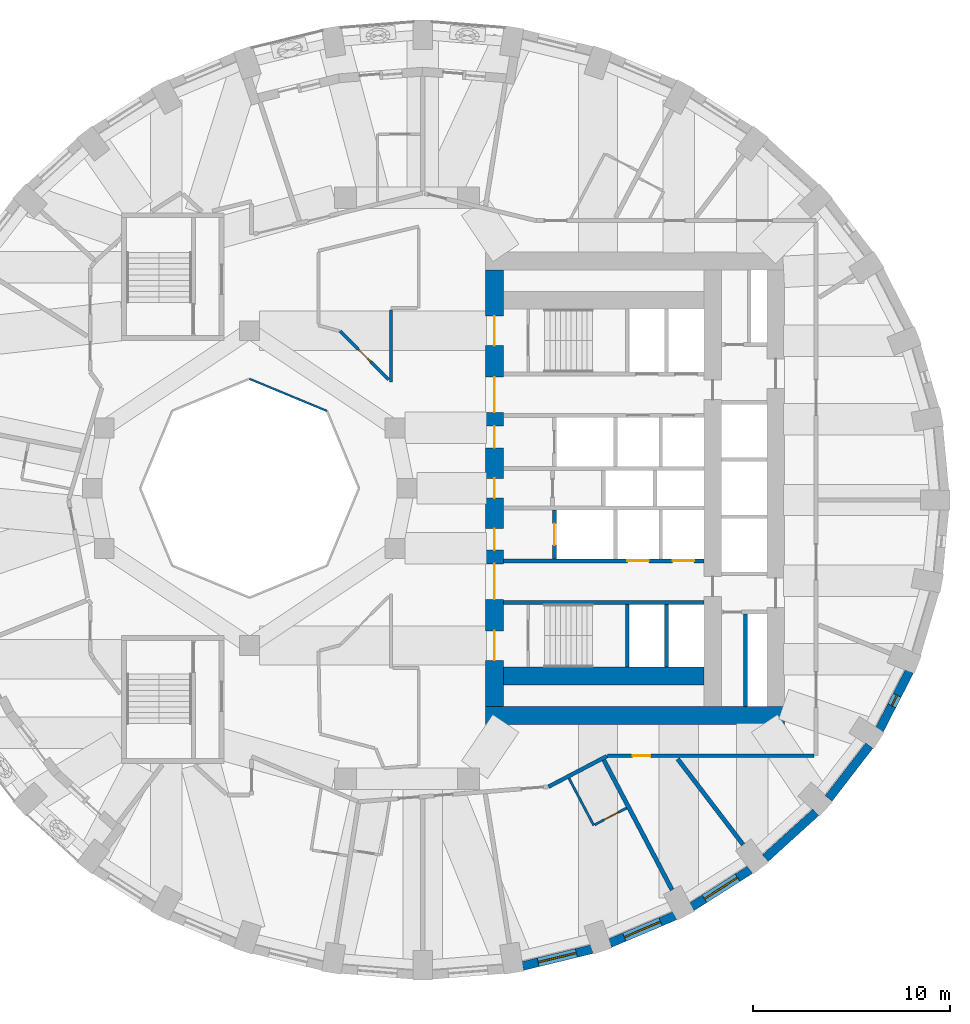
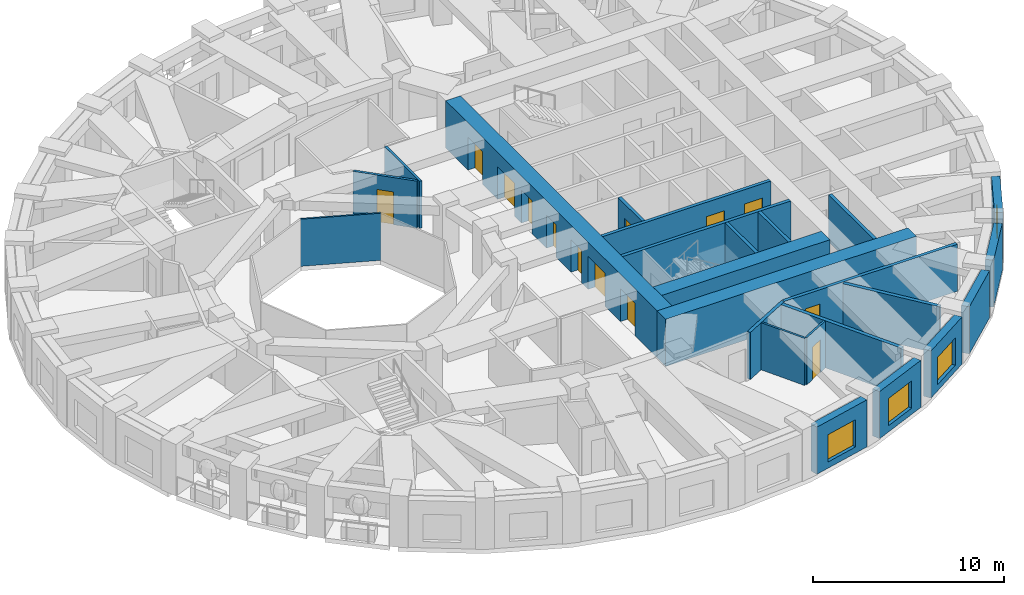
# One storey, part 5 of 12: 24 walls, 13 doors, 4 windows, 17 openings.
"""IFC4 building model written with IfcOpenShell, lengths in metres."""

from ifc_helpers import new_model, si_unit, direction, frame, frame_2d, origin, place, context, subcontext, project, spatial, rectangle, extrude, material, layer, layer_set, type_object, element, fill, save


model = new_model("IFC4")

# Units and contexts
model_context = context("Model", 3, precision=1e-05, world=origin(), true_north=direction((0.0, 1.0)))
body_context = subcontext(model_context, "Body", "Model", "MODEL_VIEW")
ifc_project = project(units=[si_unit("LENGTHUNIT", "METRE"), si_unit("AREAUNIT", "SQUARE_METRE"), si_unit("VOLUMEUNIT", "CUBIC_METRE"), si_unit("PLANEANGLEUNIT", "RADIAN"), si_unit("MASSUNIT", "GRAM", prefix="KILO")], contexts=[model_context])

# Site, building, storey
site_placement = place(None, origin())
site = spatial("IfcSite", under=ifc_project, at=site_placement, CompositionType="ELEMENT")
building_placement = place(site_placement, origin())
building = spatial("IfcBuilding", under=site, at=building_placement, Name="Taillehof Tower", CompositionType="ELEMENT")
storey_placement = place(building_placement, frame((0.0, 0.0, 92.199951171875)))
storey = spatial("IfcBuildingStorey", under=building, at=storey_placement, Name="L25", CompositionType="ELEMENT", Elevation=92.199951171875)

# Wall
ifc_material_1 = material(Name="Fire-resisting glass in steel frame", Category="steel")
ifc_layer_1 = layer(ifc_material_1, 0.10009765625)
ifc_layer_set_1 = layer_set([ifc_layer_1], Name="Atrium fire-resisting screen EI 60 100")
wall_type_1 = type_object("IfcWallType", Name="Atrium fire-resisting screen EI 60 100", PredefinedType="PARTITIONING", material=ifc_layer_set_1)
wall_1_placement = place(storey_placement, frame((-8.0, 5.55419921875, 0.0), z_axis=(0.0, 0.0, 1.0), x_axis=(0.923860025149, -0.382730523909, 0.0)))
element("IfcWall", 1, at=wall_1_placement, inside=storey, type_object=wall_type_1, Name="Atrium screen", PredefinedType="PARTITIONING", context=body_context, shape_type="SweptSolid", body=[
    extrude(rectangle(XDim=4.2509765625, YDim=0.10009765625, at=frame_2d((2.12548828125, 0.0))), origin(), (0.0, 0.0, 1.0), 3.02001953125),
])

# Wall, opening, window
ifc_material_2 = material(Name="Brick masonry", Category="masonry")
ifc_layer_2 = layer(ifc_material_2, 0.449951171875)
ifc_layer_set_2 = layer_set([ifc_layer_2], Name="Brick infill wall 450")
wall_type_2 = type_object("IfcWallType", Name="Brick infill wall 450", PredefinedType="SOLIDWALL", material=ifc_layer_set_2)
wall_2_placement = place(storey_placement, frame((5.87451171875, -24.29443359375, 0.0), z_axis=(0.0, 0.0, 1.0), x_axis=(0.971667603162, 0.236351579148, 0.0)))
wall_2 = element("IfcWall", 2, at=wall_2_placement, inside=storey, type_object=wall_type_2, Name="Brick wall L25 bay 29", PredefinedType="SOLIDWALL", context=body_context, shape_type="SweptSolid", body=[
    extrude(rectangle(XDim=3.635009765625, YDim=0.449951171875, at=frame_2d((1.8173828125, 0.0))), origin(), (0.0, 0.0, 1.0), 3.02001953125),
])
opening_1_placement = place(wall_2_placement, frame((0.8173828125, 0.0, 0.39990234375)))
opening_1 = element("IfcOpeningElement", 3, at=opening_1_placement, cuts=wall_2, Name="Opening W2", PredefinedType="OPENING", context=body_context, shape_type="SweptSolid", body=[
    extrude(rectangle(XDim=2.0, YDim=1.75, at=frame_2d((1.0, 0.875))), frame((0.0, 0.23486328125, 0.0), z_axis=(0.0, -1.0, 0.0), x_axis=(1.0, 0.0, 0.0)), (0.0, 0.0, 1.0), 0.469970703125),
])
ifc_material_3 = material(Name="Aluminium window frame with clear double glazing", Category="aluminium")
window_type_1 = type_object("IfcWindowType", Name="Deep-set window 2000x1750", PartitioningType="SINGLE_PANEL", PredefinedType="WINDOW", material=ifc_material_3)
window_1_placement = place(opening_1_placement, origin())
window_1 = element("IfcWindow", 4, at=window_1_placement, inside=storey, type_object=window_type_1, Name="W2", OverallHeight=1.75, OverallWidth=2.0, PartitioningType="SINGLE_PANEL", PredefinedType="WINDOW", context=body_context, shape_type="SweptSolid", body=[
    extrude(rectangle(XDim=2.0, YDim=1.75, at=frame_2d((1.0, 0.875))), frame((0.0, 0.034912109375, 0.0), z_axis=(0.0, -1.0, 0.0), x_axis=(1.0, 0.0, 0.0)), (0.0, 0.0, 1.0), 0.06005859375),
])
fill(opening_1, window_1)

wall_3_placement = place(storey_placement, frame((10.318115234375, -23.133544921875, 0.0), z_axis=(0.0, 0.0, 1.0), x_axis=(0.920869643542, 0.389870619055, 0.0)))
wall_3 = element("IfcWall", 5, at=wall_3_placement, inside=storey, type_object=wall_type_2, Name="Brick wall L25 bay 30", PredefinedType="SOLIDWALL", context=body_context, shape_type="SweptSolid", body=[
    extrude(rectangle(XDim=3.59130859375, YDim=0.449951171875, at=frame_2d((1.795654296875, 0.0))), origin(), (0.0, 0.0, 1.0), 3.02001953125),
])
opening_2_placement = place(wall_3_placement, frame((0.795654296875, 0.0, 0.39990234375)))
opening_2 = element("IfcOpeningElement", 6, at=opening_2_placement, cuts=wall_3, Name="Opening W2", PredefinedType="OPENING", context=body_context, shape_type="SweptSolid", body=[
    extrude(rectangle(XDim=2.0, YDim=1.75, at=frame_2d((1.0, 0.875))), frame((0.0, 0.23486328125, 0.0), z_axis=(0.0, -1.0, 0.0), x_axis=(1.0, 0.0, 0.0)), (0.0, 0.0, 1.0), 0.469970703125),
])
window_2_placement = place(opening_2_placement, origin())
window_2 = element("IfcWindow", 7, at=window_2_placement, inside=storey, type_object=window_type_1, Name="W2", OverallHeight=1.75, OverallWidth=2.0, PartitioningType="SINGLE_PANEL", PredefinedType="WINDOW", context=body_context, shape_type="SweptSolid", body=[
    extrude(rectangle(XDim=2.0, YDim=1.75, at=frame_2d((1.0, 0.875))), frame((0.0, 0.034912109375, 0.0), z_axis=(0.0, -1.0, 0.0), x_axis=(1.0, 0.0, 0.0)), (0.0, 0.0, 1.0), 0.06005859375),
])
fill(opening_2, window_2)

wall_4_placement = place(storey_placement, frame((14.475341796875, -21.287109375, 0.0), z_axis=(0.0, 0.0, 1.0), x_axis=(0.843911841423, 0.536481876587, 0.0)))
wall_4 = element("IfcWall", 8, at=wall_4_placement, inside=storey, type_object=wall_type_2, Name="Brick wall L25 bay 31", PredefinedType="SOLIDWALL", context=body_context, shape_type="SweptSolid", body=[
    extrude(rectangle(XDim=3.5322265625, YDim=0.449951171875, at=frame_2d((1.76611328125, 0.0))), origin(), (0.0, 0.0, 1.0), 3.02001953125),
])
opening_3_placement = place(wall_4_placement, frame((0.76611328125, 0.0, 0.39990234375)))
opening_3 = element("IfcOpeningElement", 9, at=opening_3_placement, cuts=wall_4, Name="Opening W2", PredefinedType="OPENING", context=body_context, shape_type="SweptSolid", body=[
    extrude(rectangle(XDim=2.0, YDim=1.75, at=frame_2d((1.0, 0.875))), frame((0.0, 0.23486328125, 0.0), z_axis=(0.0, -1.0, 0.0), x_axis=(1.0, 0.0, 0.0)), (0.0, 0.0, 1.0), 0.469970703125),
])
window_3_placement = place(opening_3_placement, origin())
window_3 = element("IfcWindow", 10, at=window_3_placement, inside=storey, type_object=window_type_1, Name="W2", OverallHeight=1.75, OverallWidth=2.0, PartitioningType="SINGLE_PANEL", PredefinedType="WINDOW", context=body_context, shape_type="SweptSolid", body=[
    extrude(rectangle(XDim=2.0, YDim=1.75, at=frame_2d((1.0, 0.875))), frame((0.0, 0.034912109375, 0.0), z_axis=(0.0, -1.0, 0.0), x_axis=(1.0, 0.0, 0.0)), (0.0, 0.0, 1.0), 0.06005859375),
])
fill(opening_3, window_3)

# Walls
wall_5_placement = place(storey_placement, frame((18.219482421875, -18.8095703125, 0.0), z_axis=(0.0, 0.0, 1.0), x_axis=(0.740364106106, 0.672206062446, 0.0)))
element("IfcWall", 11, at=wall_5_placement, inside=storey, type_object=wall_type_2, Name="Brick wall L25 bay 32", PredefinedType="SOLIDWALL", context=body_context, shape_type="SweptSolid", body=[
    extrude(rectangle(XDim=3.4638671875, YDim=0.449951171875, at=frame_2d((1.73193359375, 0.0))), origin(), (0.0, 0.0, 1.0), 3.02001953125),
])
wall_6_placement = place(storey_placement, frame((21.43505859375, -15.775390625, 0.0), z_axis=(0.0, 0.0, 1.0), x_axis=(0.610693945156, 0.791866721961, 0.0)))
element("IfcWall", 12, at=wall_6_placement, inside=storey, type_object=wall_type_2, Name="Brick wall L25 bay 33", PredefinedType="SOLIDWALL", context=body_context, shape_type="SweptSolid", body=[
    extrude(rectangle(XDim=3.39453125, YDim=0.449951171875, at=frame_2d((1.697265625, 0.0))), origin(), (0.0, 0.0, 1.0), 3.02001953125),
])

# Wall, opening, window
wall_7_placement = place(storey_placement, frame((24.022705078125, -12.27685546875, 0.0), z_axis=(0.0, 0.0, 1.0), x_axis=(0.456828186229, 0.889554949549, 0.0)))
wall_7 = element("IfcWall", 13, at=wall_7_placement, inside=storey, type_object=wall_type_2, Name="Brick wall L25 bay 34", PredefinedType="SOLIDWALL", context=body_context, shape_type="SweptSolid", body=[
    extrude(rectangle(XDim=3.332763671875, YDim=0.449951171875, at=frame_2d((1.66650390625, 0.0))), origin(), (0.0, 0.0, 1.0), 3.02001953125),
])
opening_4_placement = place(wall_7_placement, frame((1.366455078125, 0.0, 0.39990234375)))
opening_4 = element("IfcOpeningElement", 14, at=opening_4_placement, cuts=wall_7, Name="Opening W6", PredefinedType="OPENING", context=body_context, shape_type="SweptSolid", body=[
    extrude(rectangle(XDim=0.60009765625, YDim=1.75, at=frame_2d((0.300048828125, 0.875))), frame((0.0, 0.23486328125, 0.0), z_axis=(0.0, -1.0, 0.0), x_axis=(1.0, 0.0, 0.0)), (0.0, 0.0, 1.0), 0.469970703125),
])
ifc_material_4 = material(Name="Aluminium window frame with clear double glazing", Category="aluminium")
window_type_2 = type_object("IfcWindowType", Name="Slot window 600x1750", PartitioningType="SINGLE_PANEL", PredefinedType="WINDOW", material=ifc_material_4)
window_4_placement = place(opening_4_placement, origin())
window_4 = element("IfcWindow", 15, at=window_4_placement, inside=storey, type_object=window_type_2, Name="W6", OverallHeight=1.75, OverallWidth=0.60009765625, PartitioningType="SINGLE_PANEL", PredefinedType="WINDOW", context=body_context, shape_type="SweptSolid", body=[
    extrude(rectangle(XDim=0.60009765625, YDim=1.75, at=frame_2d((0.300048828125, 0.875))), frame((0.0, 0.034912109375, 0.0), z_axis=(0.0, -1.0, 0.0), x_axis=(1.0, 0.0, 0.0)), (0.0, 0.0, 1.0), 0.06005859375),
])
fill(opening_4, window_4)

# Wall
ifc_material_5 = material(Name="Calcium silicate masonry", Category="masonry")
ifc_layer_3 = layer(ifc_material_5, 0.199951171875)
ifc_layer_set_3 = layer_set([ifc_layer_3], Name="Compartment wall calcium silicate 200")
wall_type_3 = type_object("IfcWallType", Name="Compartment wall calcium silicate 200", PredefinedType="PARTITIONING", material=ifc_layer_set_3)
wall_8_placement = place(storey_placement, frame((17.199951171875, -11.10009765625, 0.0), z_axis=(0.0, 0.0, 1.0), x_axis=(0.0, 1.0, 0.0)))
element("IfcWall", 16, at=wall_8_placement, inside=storey, type_object=wall_type_3, Name="Compartment wall FW", PredefinedType="PARTITIONING", context=body_context, shape_type="SweptSolid", body=[
    extrude(rectangle(XDim=4.7001953125, YDim=0.199951171875, at=frame_2d((2.35009765625, 0.0))), origin(), (0.0, 0.0, 1.0), 3.02001953125),
])

# Wall, opening, door
ifc_material_6 = material(Name="Gypsum board on steel studs, two layers each side", Category="steel")
ifc_layer_4 = layer(ifc_material_6, 0.199951171875)
ifc_layer_set_4 = layer_set([ifc_layer_4], Name="Compartment wall corridor 200")
wall_type_4 = type_object("IfcWallType", Name="Compartment wall corridor 200", PredefinedType="PARTITIONING", material=ifc_layer_set_4)
wall_9_placement = place(storey_placement, frame((20.699951171875, -13.60009765625, 0.0), z_axis=(0.0, 0.0, 1.0), x_axis=(-1.0, 0.0, 0.0)))
wall_9 = element("IfcWall", 17, at=wall_9_placement, inside=storey, type_object=wall_type_4, Name="Compartment wall", PredefinedType="PARTITIONING", context=body_context, shape_type="SweptSolid", body=[
    extrude(rectangle(XDim=10.49755859375, YDim=0.199951171875, at=frame_2d((5.248779296875, 0.0))), origin(), (0.0, 0.0, 1.0), 3.02001953125),
])
opening_5_placement = place(wall_9_placement, frame((8.32470703125, 0.0, 0.0)))
opening_5 = element("IfcOpeningElement", 18, at=opening_5_placement, cuts=wall_9, Name="Opening D2560", PredefinedType="OPENING", context=body_context, shape_type="SweptSolid", body=[
    extrude(rectangle(XDim=0.89990234375, YDim=2.10009765625, at=frame_2d((0.449951171875, 1.050048828125))), frame((0.0, 0.10986328125, 0.0), z_axis=(0.0, -1.0, 0.0), x_axis=(1.0, 0.0, 0.0)), (0.0, 0.0, 1.0), 0.219970703125),
])
ifc_material_7 = material(Name="Timber door leaf in steel frame", Category="steel")
door_type_1 = type_object("IfcDoorType", Name="Service room door EI 30 900 x 2100", OperationType="SINGLE_SWING_LEFT", PredefinedType="DOOR", material=ifc_material_7)
door_1_placement = place(opening_5_placement, origin())
door_1 = element("IfcDoor", 19, at=door_1_placement, inside=storey, type_object=door_type_1, Name="D2560", OperationType="SINGLE_SWING_RIGHT", OverallHeight=2.10009765625, OverallWidth=0.89990234375, PredefinedType="DOOR", context=body_context, shape_type="SweptSolid", body=[
    extrude(rectangle(XDim=0.89990234375, YDim=2.10009765625, at=frame_2d((0.449951171875, 1.050048828125))), frame((0.0, 0.02490234375, 0.0), z_axis=(0.0, -1.0, 0.0), x_axis=(1.0, 0.0, 0.0)), (0.0, 0.0, 1.0), 0.050048828125),
])
fill(opening_5, door_1)

# Walls
wall_10_placement = place(storey_placement, frame((10.166748046875, -13.61865234375, 0.0), z_axis=(0.0, 0.0, 1.0), x_axis=(-0.885637584774, -0.4643770757, 0.0)))
element("IfcWall", 20, at=wall_10_placement, inside=storey, type_object=wall_type_4, Name="Compartment wall", PredefinedType="PARTITIONING", context=body_context, shape_type="SweptSolid", body=[
    extrude(rectangle(XDim=3.35205078125, YDim=0.199951171875, at=frame_2d((1.676025390625, 0.0))), origin(), (0.0, 0.0, 1.0), 3.02001953125),
])
ifc_material_8 = material(Name="Gypsum board on double steel studs with mineral wool", Category="steel")
ifc_layer_5 = layer(ifc_material_8, 0.219970703125)
ifc_layer_set_5 = layer_set([ifc_layer_5], Name="Compartment wall guest room 220")
wall_type_5 = type_object("IfcWallType", Name="Compartment wall guest room 220", PredefinedType="PARTITIONING", material=ifc_layer_set_5)
wall_11_placement = place(storey_placement, frame((13.47607421875, -20.417724609375, 0.0), z_axis=(0.0, 0.0, 1.0), x_axis=(-0.465295750937, 0.885155276864, 0.0)))
element("IfcWall", 21, at=wall_11_placement, inside=storey, type_object=wall_type_5, Name="Compartment wall", PredefinedType="PARTITIONING", context=body_context, shape_type="SweptSolid", body=[
    extrude(rectangle(XDim=7.4580078125, YDim=0.219970703125, at=frame_2d((3.72900390625, 0.0))), origin(), (0.0, 0.0, 1.0), 3.02001953125),
])
wall_12_placement = place(storey_placement, frame((17.08935546875, -18.120849609375, 0.0), z_axis=(0.0, 0.0, 1.0), x_axis=(-0.607064955951, 0.794652212767, 0.0)))
element("IfcWall", 22, at=wall_12_placement, inside=storey, type_object=wall_type_5, Name="Compartment wall", PredefinedType="PARTITIONING", context=body_context, shape_type="SweptSolid", body=[
    extrude(rectangle(XDim=5.483154296875, YDim=0.219970703125, at=frame_2d((2.74169921875, 0.0))), origin(), (0.0, 0.0, 1.0), 3.02001953125),
])
ifc_material_9 = material(Name="Gypsum board on steel studs, two layers each side", Category="steel")
ifc_layer_6 = layer(ifc_material_9, 0.14990234375)
ifc_layer_set_6 = layer_set([ifc_layer_6], Name="Compartment wall service room 150")
wall_type_6 = type_object("IfcWallType", Name="Compartment wall service room 150", PredefinedType="PARTITIONING", material=ifc_layer_set_6)
wall_13_placement = place(storey_placement, frame((-0.800048828125, 9.06982421875, 0.0), z_axis=(0.0, 0.0, 1.0), x_axis=(0.0, -1.0, 0.0)))
element("IfcWall", 23, at=wall_13_placement, inside=storey, type_object=wall_type_6, Name="Compartment wall", PredefinedType="PARTITIONING", context=body_context, shape_type="SweptSolid", body=[
    extrude(rectangle(XDim=3.683349609375, YDim=0.14990234375, at=frame_2d((1.841796875, 0.0))), origin(), (0.0, 0.0, 1.0), 3.02001953125),
])

# Wall, opening, door
wall_14_placement = place(storey_placement, frame((-0.927490234375, 5.513916015625, 0.0), z_axis=(0.0, 0.0, 1.0), x_axis=(-0.707106781187, 0.707106781187, 0.0)))
wall_14 = element("IfcWall", 24, at=wall_14_placement, inside=storey, type_object=wall_type_6, Name="Compartment wall", PredefinedType="PARTITIONING", context=body_context, shape_type="SweptSolid", body=[
    extrude(rectangle(XDim=3.48681640625, YDim=0.14990234375, at=frame_2d((1.743408203125, 0.0))), origin(), (0.0, 0.0, 1.0), 3.02001953125),
])
opening_6_placement = place(wall_14_placement, frame((1.29345703125, 0.0, 0.0)))
opening_6 = element("IfcOpeningElement", 25, at=opening_6_placement, cuts=wall_14, Name="Opening D2565", PredefinedType="OPENING", context=body_context, shape_type="SweptSolid", body=[
    extrude(rectangle(XDim=0.89990234375, YDim=2.10009765625, at=frame_2d((0.449951171875, 1.050048828125))), frame((0.0, 0.0849609375, 0.0), z_axis=(0.0, -1.0, 0.0), x_axis=(1.0, 0.0, 0.0)), (0.0, 0.0, 1.0), 0.169921875),
])
door_2_placement = place(opening_6_placement, origin())
door_2 = element("IfcDoor", 26, at=door_2_placement, inside=storey, type_object=door_type_1, Name="D2565", OperationType="SINGLE_SWING_RIGHT", OverallHeight=2.10009765625, OverallWidth=0.89990234375, PredefinedType="DOOR", context=body_context, shape_type="SweptSolid", body=[
    extrude(rectangle(XDim=0.89990234375, YDim=2.10009765625, at=frame_2d((0.449951171875, 1.050048828125))), frame((0.0, 0.02490234375, 0.0), z_axis=(0.0, -1.0, 0.0), x_axis=(1.0, 0.0, 0.0)), (0.0, 0.0, 1.0), 0.050048828125),
])
fill(opening_6, door_2)

# Wall, openings, doors
ifc_material_10 = material(Name="Concrete C80/95", Category="concrete")
ifc_layer_7 = layer(ifc_material_10, 0.89990234375)
ifc_layer_set_7 = layer_set([ifc_layer_7], Name="Core wall C80/95 900")
wall_type_7 = type_object("IfcWallType", Name="Core wall C80/95 900", PredefinedType="SHEAR", material=ifc_layer_set_7)
wall_15_placement = place(storey_placement, frame((4.449951171875, -11.10009765625, 0.0), z_axis=(0.0, 0.0, 1.0), x_axis=(0.0, 1.0, 0.0)))
wall_15 = element("IfcWall", 27, at=wall_15_placement, inside=storey, type_object=wall_type_7, Name="Core wall CW01", PredefinedType="SHEAR", context=body_context, shape_type="SweptSolid", body=[
    extrude(rectangle(XDim=22.2001953125, YDim=0.89990234375, at=frame_2d((11.10009765625, 0.0))), origin(), (0.0, 0.0, 1.0), 3.02001953125),
])
opening_7_placement = place(wall_15_placement, frame((2.35009765625, 0.0, 0.0)))
opening_7 = element("IfcOpeningElement", 28, at=opening_7_placement, cuts=wall_15, Name="Opening D2501", PredefinedType="OPENING", context=body_context, shape_type="SweptSolid", body=[
    extrude(rectangle(XDim=1.5, YDim=2.10009765625, at=frame_2d((0.75, 1.050048828125))), frame((0.0, 0.4599609375, 0.0), z_axis=(0.0, -1.0, 0.0), x_axis=(1.0, 0.0, 0.0)), (0.0, 0.0, 1.0), 0.919921875),
])
opening_8_placement = place(wall_15_placement, frame((5.449951171875, 0.0, 0.0)))
opening_8 = element("IfcOpeningElement", 29, at=opening_8_placement, cuts=wall_15, Name="Opening D2502", PredefinedType="OPENING", context=body_context, shape_type="SweptSolid", body=[
    extrude(rectangle(XDim=1.800048828125, YDim=2.10009765625, at=frame_2d((0.89990234375, 1.050048828125))), frame((0.0, 0.4599609375, 0.0), z_axis=(0.0, -1.0, 0.0), x_axis=(1.0, 0.0, 0.0)), (0.0, 0.0, 1.0), 0.919921875),
])
opening_9_placement = place(wall_15_placement, frame((7.949951171875, 0.0, 0.0)))
opening_9 = element("IfcOpeningElement", 30, at=opening_9_placement, cuts=wall_15, Name="Opening D2503", PredefinedType="OPENING", context=body_context, shape_type="SweptSolid", body=[
    extrude(rectangle(XDim=1.10009765625, YDim=2.10009765625, at=frame_2d((0.550048828125, 1.050048828125))), frame((0.0, 0.4599609375, 0.0), z_axis=(0.0, -1.0, 0.0), x_axis=(1.0, 0.0, 0.0)), (0.0, 0.0, 1.0), 0.919921875),
])
opening_10_placement = place(wall_15_placement, frame((10.60009765625, 0.0, 0.0)))
opening_10 = element("IfcOpeningElement", 31, at=opening_10_placement, cuts=wall_15, Name="Opening D2504", PredefinedType="OPENING", context=body_context, shape_type="SweptSolid", body=[
    extrude(rectangle(XDim=1.0, YDim=2.10009765625, at=frame_2d((0.5, 1.050048828125))), frame((0.0, 0.4599609375, 0.0), z_axis=(0.0, -1.0, 0.0), x_axis=(1.0, 0.0, 0.0)), (0.0, 0.0, 1.0), 0.919921875),
])
opening_11_placement = place(wall_15_placement, frame((13.14990234375, 0.0, 0.0)))
opening_11 = element("IfcOpeningElement", 32, at=opening_11_placement, cuts=wall_15, Name="Opening D2505", PredefinedType="OPENING", context=body_context, shape_type="SweptSolid", body=[
    extrude(rectangle(XDim=1.10009765625, YDim=2.10009765625, at=frame_2d((0.550048828125, 1.050048828125))), frame((0.0, 0.4599609375, 0.0), z_axis=(0.0, -1.0, 0.0), x_axis=(1.0, 0.0, 0.0)), (0.0, 0.0, 1.0), 0.919921875),
])
opening_12_placement = place(wall_15_placement, frame((14.949951171875, 0.0, 0.0)))
opening_12 = element("IfcOpeningElement", 33, at=opening_12_placement, cuts=wall_15, Name="Opening D2506", PredefinedType="OPENING", context=body_context, shape_type="SweptSolid", body=[
    extrude(rectangle(XDim=1.800048828125, YDim=2.10009765625, at=frame_2d((0.89990234375, 1.050048828125))), frame((0.0, 0.4599609375, 0.0), z_axis=(0.0, -1.0, 0.0), x_axis=(1.0, 0.0, 0.0)), (0.0, 0.0, 1.0), 0.919921875),
])
opening_13_placement = place(wall_15_placement, frame((18.35009765625, 0.0, 0.0)))
opening_13 = element("IfcOpeningElement", 34, at=opening_13_placement, cuts=wall_15, Name="Opening D2507", PredefinedType="OPENING", context=body_context, shape_type="SweptSolid", body=[
    extrude(rectangle(XDim=1.5, YDim=2.10009765625, at=frame_2d((0.75, 1.050048828125))), frame((0.0, 0.4599609375, 0.0), z_axis=(0.0, -1.0, 0.0), x_axis=(1.0, 0.0, 0.0)), (0.0, 0.0, 1.0), 0.919921875),
])
ifc_material_11 = material(Name="Steel-faced fire door", Category="steel")
door_type_2 = type_object("IfcDoorType", Name="Firefighting lobby door 1100x2100", OperationType="SINGLE_SWING_RIGHT", PredefinedType="DOOR", material=ifc_material_11)
door_3_placement = place(opening_9_placement, origin())
door_3 = element("IfcDoor", 35, at=door_3_placement, inside=storey, type_object=door_type_2, Name="Firefighting lobby door FFL-S", OperationType="SINGLE_SWING_RIGHT", OverallHeight=2.10009765625, OverallWidth=1.10009765625, PredefinedType="DOOR", context=body_context, shape_type="SweptSolid", body=[
    extrude(rectangle(XDim=1.10009765625, YDim=2.10009765625, at=frame_2d((0.550048828125, 1.050048828125))), frame((0.0, 0.02490234375, 0.0), z_axis=(0.0, -1.0, 0.0), x_axis=(1.0, 0.0, 0.0)), (0.0, 0.0, 1.0), 0.050048828125),
])
fill(opening_9, door_3)
door_4_placement = place(opening_11_placement, origin())
door_4 = element("IfcDoor", 36, at=door_4_placement, inside=storey, type_object=door_type_2, Name="Firefighting lobby door FFL-N", OperationType="SINGLE_SWING_LEFT", OverallHeight=2.10009765625, OverallWidth=1.10009765625, PredefinedType="DOOR", context=body_context, shape_type="SweptSolid", body=[
    extrude(rectangle(XDim=1.10009765625, YDim=2.10009765625, at=frame_2d((0.550048828125, 1.050048828125))), frame((0.0, 0.02490234375, 0.0), z_axis=(0.0, -1.0, 0.0), x_axis=(1.0, 0.0, 0.0)), (0.0, 0.0, 1.0), 0.050048828125),
])
fill(opening_11, door_4)
ifc_material_12 = material(Name="Steel-faced fire door", Category="steel")
door_type_3 = type_object("IfcDoorType", Name="Lift lobby door 1800x2100", OperationType="DOUBLE_DOOR_SINGLE_SWING", PredefinedType="DOOR", material=ifc_material_12)
door_5_placement = place(opening_8_placement, origin())
door_5 = element("IfcDoor", 37, at=door_5_placement, inside=storey, type_object=door_type_3, Name="Lift lobby door LL-S", OperationType="DOUBLE_DOOR_SINGLE_SWING", OverallHeight=2.10009765625, OverallWidth=1.800048828125, PredefinedType="DOOR", context=body_context, shape_type="SweptSolid", body=[
    extrude(rectangle(XDim=1.800048828125, YDim=2.10009765625, at=frame_2d((0.89990234375, 1.050048828125))), frame((0.0, 0.02490234375, 0.0), z_axis=(0.0, -1.0, 0.0), x_axis=(1.0, 0.0, 0.0)), (0.0, 0.0, 1.0), 0.050048828125),
])
fill(opening_8, door_5)
door_6_placement = place(opening_12_placement, origin())
door_6 = element("IfcDoor", 38, at=door_6_placement, inside=storey, type_object=door_type_3, Name="Lift lobby door LL-N", OperationType="DOUBLE_DOOR_SINGLE_SWING", OverallHeight=2.10009765625, OverallWidth=1.800048828125, PredefinedType="DOOR", context=body_context, shape_type="SweptSolid", body=[
    extrude(rectangle(XDim=1.800048828125, YDim=2.10009765625, at=frame_2d((0.89990234375, 1.050048828125))), frame((0.0, 0.02490234375, 0.0), z_axis=(0.0, -1.0, 0.0), x_axis=(1.0, 0.0, 0.0)), (0.0, 0.0, 1.0), 0.050048828125),
])
fill(opening_12, door_6)
ifc_material_13 = material(Name="Steel-faced fire door", Category="steel")
door_type_4 = type_object("IfcDoorType", Name="Service door 1000x2100", OperationType="SINGLE_SWING_RIGHT", PredefinedType="DOOR", material=ifc_material_13)
door_7_placement = place(opening_10_placement, origin())
door_7 = element("IfcDoor", 39, at=door_7_placement, inside=storey, type_object=door_type_4, Name="Service door SV", OperationType="SINGLE_SWING_RIGHT", OverallHeight=2.10009765625, OverallWidth=1.0, PredefinedType="DOOR", context=body_context, shape_type="SweptSolid", body=[
    extrude(rectangle(XDim=1.0, YDim=2.10009765625, at=frame_2d((0.5, 1.050048828125))), frame((0.0, 0.02490234375, 0.0), z_axis=(0.0, -1.0, 0.0), x_axis=(1.0, 0.0, 0.0)), (0.0, 0.0, 1.0), 0.050048828125),
])
fill(opening_10, door_7)
ifc_material_14 = material(Name="Steel-faced fire door", Category="steel")
door_type_5 = type_object("IfcDoorType", Name="Stair door 1500x2100", OperationType="DOUBLE_DOOR_SINGLE_SWING", PredefinedType="DOOR", material=ifc_material_14)
door_8_placement = place(opening_7_placement, origin())
door_8 = element("IfcDoor", 40, at=door_8_placement, inside=storey, type_object=door_type_5, Name="Stair door S2", OperationType="DOUBLE_DOOR_SINGLE_SWING", OverallHeight=2.10009765625, OverallWidth=1.5, PredefinedType="DOOR", context=body_context, shape_type="SweptSolid", body=[
    extrude(rectangle(XDim=1.5, YDim=2.10009765625, at=frame_2d((0.75, 1.050048828125))), frame((0.0, 0.02490234375, 0.0), z_axis=(0.0, -1.0, 0.0), x_axis=(1.0, 0.0, 0.0)), (0.0, 0.0, 1.0), 0.050048828125),
])
fill(opening_7, door_8)
door_9_placement = place(opening_13_placement, origin())
door_9 = element("IfcDoor", 41, at=door_9_placement, inside=storey, type_object=door_type_5, Name="Stair door S1", OperationType="DOUBLE_DOOR_SINGLE_SWING", OverallHeight=2.10009765625, OverallWidth=1.5, PredefinedType="DOOR", context=body_context, shape_type="SweptSolid", body=[
    extrude(rectangle(XDim=1.5, YDim=2.10009765625, at=frame_2d((0.75, 1.050048828125))), frame((0.0, 0.02490234375, 0.0), z_axis=(0.0, -1.0, 0.0), x_axis=(1.0, 0.0, 0.0)), (0.0, 0.0, 1.0), 0.050048828125),
])
fill(opening_13, door_9)

# Walls
wall_16_placement = place(storey_placement, frame((4.0, -11.550048828125, 0.0), z_axis=(0.0, 0.0, 1.0), x_axis=(1.0, 0.0, 0.0)))
element("IfcWall", 42, at=wall_16_placement, inside=storey, type_object=wall_type_7, Name="Core wall CW04", PredefinedType="SHEAR", context=body_context, shape_type="SweptSolid", body=[
    extrude(rectangle(XDim=15.199951171875, YDim=0.89990234375, at=frame_2d((7.60009765625, 0.0))), origin(), (0.0, 0.0, 1.0), 3.02001953125),
])
wall_17_placement = place(storey_placement, frame((4.89990234375, -9.550048828125, 0.0), z_axis=(0.0, 0.0, 1.0), x_axis=(1.0, 0.0, 0.0)))
element("IfcWall", 43, at=wall_17_placement, inside=storey, type_object=wall_type_7, Name="Core wall CW07", PredefinedType="SHEAR", context=body_context, shape_type="SweptSolid", body=[
    extrude(rectangle(XDim=10.2001953125, YDim=0.89990234375, at=frame_2d((5.10009765625, 0.0))), origin(), (0.0, 0.0, 1.0), 3.02001953125),
])
ifc_material_15 = material(Name="Gypsum board on steel studs, moisture resistant", Category="steel")
ifc_layer_8 = layer(ifc_material_15, 0.1201171875)
ifc_layer_set_8 = layer_set([ifc_layer_8], Name="En-suite wall 120")
wall_type_8 = type_object("IfcWallType", Name="En-suite wall 120", PredefinedType="PARTITIONING", material=ifc_layer_set_8)
wall_18_placement = place(storey_placement, frame((8.234619140625, -14.744873046875, 0.0), z_axis=(0.0, 0.0, 1.0), x_axis=(0.46526594455, -0.885170944418, 0.0)))
element("IfcWall", 44, at=wall_18_placement, inside=storey, type_object=wall_type_8, Name="En-suite wall", PredefinedType="PARTITIONING", context=body_context, shape_type="SweptSolid", body=[
    extrude(rectangle(XDim=2.701904296875, YDim=0.1201171875, at=frame_2d((1.35107421875, 0.0))), origin(), (0.0, 0.0, 1.0), 3.02001953125),
])

# Wall, opening, door
wall_19_placement = place(storey_placement, frame((9.544921875, -17.108642578125, 0.0), z_axis=(0.0, 0.0, 1.0), x_axis=(0.885143836671, 0.465317513536, 0.0)))
wall_19 = element("IfcWall", 45, at=wall_19_placement, inside=storey, type_object=wall_type_8, Name="En-suite wall", PredefinedType="PARTITIONING", context=body_context, shape_type="SweptSolid", body=[
    extrude(rectangle(XDim=1.830078125, YDim=0.1201171875, at=frame_2d((0.9150390625, 0.0))), origin(), (0.0, 0.0, 1.0), 3.02001953125),
])
opening_14_placement = place(wall_19_placement, frame((0.5400390625, 0.0, 0.0)))
opening_14 = element("IfcOpeningElement", 46, at=opening_14_placement, cuts=wall_19, Name="Opening D2559", PredefinedType="OPENING", context=body_context, shape_type="SweptSolid", body=[
    extrude(rectangle(XDim=0.800048828125, YDim=2.10009765625, at=frame_2d((0.39990234375, 1.050048828125))), frame((0.0, 0.070068359375, 0.0), z_axis=(0.0, -1.0, 0.0), x_axis=(1.0, 0.0, 0.0)), (0.0, 0.0, 1.0), 0.14013671875),
])
ifc_material_16 = material(Name="Timber door leaf in steel frame", Category="steel")
door_type_6 = type_object("IfcDoorType", Name="En-suite door 800 x 2100", OperationType="SINGLE_SWING_LEFT", PredefinedType="DOOR", material=ifc_material_16)
door_10_placement = place(opening_14_placement, origin())
door_10 = element("IfcDoor", 47, at=door_10_placement, inside=storey, type_object=door_type_6, Name="D2559", OperationType="SINGLE_SWING_LEFT", OverallHeight=2.10009765625, OverallWidth=0.800048828125, PredefinedType="DOOR", context=body_context, shape_type="SweptSolid", body=[
    extrude(rectangle(XDim=0.800048828125, YDim=2.10009765625, at=frame_2d((0.39990234375, 1.050048828125))), frame((0.0, 0.02490234375, 0.0), z_axis=(0.0, -1.0, 0.0), x_axis=(1.0, 0.0, 0.0)), (0.0, 0.0, 1.0), 0.050048828125),
])
fill(opening_14, door_10)

# Wall, openings, doors
ifc_material_17 = material(Name="Concrete C50/60", Category="concrete")
ifc_layer_9 = layer(ifc_material_17, 0.199951171875)
ifc_layer_set_9 = layer_set([ifc_layer_9], Name="Shaft wall C50/60 200")
wall_type_9 = type_object("IfcWallType", Name="Shaft wall C50/60 200", PredefinedType="SHEAR", material=ifc_layer_set_9)
wall_20_placement = place(storey_placement, frame((4.89990234375, -3.699951171875, 0.0), z_axis=(0.0, 0.0, 1.0), x_axis=(1.0, 0.0, 0.0)))
wall_20 = element("IfcWall", 48, at=wall_20_placement, inside=storey, type_object=wall_type_9, Name="Shaft wall SW", PredefinedType="SHEAR", context=body_context, shape_type="SweptSolid", body=[
    extrude(rectangle(XDim=10.2001953125, YDim=0.199951171875, at=frame_2d((5.10009765625, 0.0))), origin(), (0.0, 0.0, 1.0), 3.02001953125),
])
opening_15_placement = place(wall_20_placement, frame((6.300048828125, 0.0, 0.0)))
opening_15 = element("IfcOpeningElement", 49, at=opening_15_placement, cuts=wall_20, Name="Opening LD1", PredefinedType="OPENING", context=body_context, shape_type="SweptSolid", body=[
    extrude(rectangle(XDim=1.10009765625, YDim=2.10009765625, at=frame_2d((0.550048828125, 1.050048828125))), frame((0.0, 0.10986328125, 0.0), z_axis=(0.0, -1.0, 0.0), x_axis=(1.0, 0.0, 0.0)), (0.0, 0.0, 1.0), 0.219970703125),
])
opening_16_placement = place(wall_20_placement, frame((8.60009765625, 0.0, 0.0)))
opening_16 = element("IfcOpeningElement", 50, at=opening_16_placement, cuts=wall_20, Name="Opening LD1", PredefinedType="OPENING", context=body_context, shape_type="SweptSolid", body=[
    extrude(rectangle(XDim=1.10009765625, YDim=2.10009765625, at=frame_2d((0.550048828125, 1.050048828125))), frame((0.0, 0.10986328125, 0.0), z_axis=(0.0, -1.0, 0.0), x_axis=(1.0, 0.0, 0.0)), (0.0, 0.0, 1.0), 0.219970703125),
])
ifc_material_18 = material(Name="Stainless steel", Category="steel")
door_type_7 = type_object("IfcDoorType", Name="Lift landing door LD1 1100x2100", OperationType="DOUBLE_DOOR_SLIDING", PredefinedType="DOOR", material=ifc_material_18)
door_11_placement = place(opening_15_placement, origin())
door_11 = element("IfcDoor", 51, at=door_11_placement, inside=storey, type_object=door_type_7, Name="Landing door LR5", OperationType="DOUBLE_DOOR_SLIDING", OverallHeight=2.10009765625, OverallWidth=1.10009765625, PredefinedType="DOOR", context=body_context, shape_type="SweptSolid", body=[
    extrude(rectangle(XDim=1.10009765625, YDim=2.10009765625, at=frame_2d((0.550048828125, 1.050048828125))), frame((0.0, 0.02490234375, 0.0), z_axis=(0.0, -1.0, 0.0), x_axis=(1.0, 0.0, 0.0)), (0.0, 0.0, 1.0), 0.050048828125),
])
fill(opening_15, door_11)
door_12_placement = place(opening_16_placement, origin())
door_12 = element("IfcDoor", 52, at=door_12_placement, inside=storey, type_object=door_type_7, Name="Landing door LR6", OperationType="DOUBLE_DOOR_SLIDING", OverallHeight=2.10009765625, OverallWidth=1.10009765625, PredefinedType="DOOR", context=body_context, shape_type="SweptSolid", body=[
    extrude(rectangle(XDim=1.10009765625, YDim=2.10009765625, at=frame_2d((0.550048828125, 1.050048828125))), frame((0.0, 0.02490234375, 0.0), z_axis=(0.0, -1.0, 0.0), x_axis=(1.0, 0.0, 0.0)), (0.0, 0.0, 1.0), 0.050048828125),
])
fill(opening_16, door_12)

# Walls
wall_21_placement = place(storey_placement, frame((4.89990234375, -5.800048828125, 0.0), z_axis=(0.0, 0.0, 1.0), x_axis=(1.0, 0.0, 0.0)))
element("IfcWall", 53, at=wall_21_placement, inside=storey, type_object=wall_type_9, Name="Shaft wall SW", PredefinedType="SHEAR", context=body_context, shape_type="SweptSolid", body=[
    extrude(rectangle(XDim=10.2001953125, YDim=0.199951171875, at=frame_2d((5.10009765625, 0.0))), origin(), (0.0, 0.0, 1.0), 3.02001953125),
])
for number, where, z_axis, x_axis, name in (
    (54, (11.199951171875, -9.10009765625, 0.0), (0.0, 0.0, 1.0), (0.0, 1.0, 0.0), "Shaft wall SW"),
    (55, (13.199951171875, -9.10009765625, 0.0), (0.0, 0.0, 1.0), (0.0, 1.0, 0.0), "Shaft wall SW"),
):
    element("IfcWall", number, at=place(storey_placement, frame(where, z_axis=z_axis, x_axis=x_axis)), inside=storey, type_object=wall_type_9, Name=name, PredefinedType="SHEAR", context=body_context, shape_type="SweptSolid", body=[
        extrude(rectangle(XDim=3.2001953125, YDim=0.199951171875, at=frame_2d((1.60009765625, 0.0))), origin(), (0.0, 0.0, 1.0), 3.02001953125),
    ])

# Wall, opening, door
wall_22_placement = place(storey_placement, frame((7.5, -3.60009765625, 0.0), z_axis=(0.0, 0.0, 1.0), x_axis=(0.0, 1.0, 0.0)))
wall_22 = element("IfcWall", 56, at=wall_22_placement, inside=storey, type_object=wall_type_9, Name="Shaft wall SW", PredefinedType="SHEAR", context=body_context, shape_type="SweptSolid", body=[
    extrude(rectangle(XDim=2.5, YDim=0.199951171875, at=frame_2d((1.25, 0.0))), origin(), (0.0, 0.0, 1.0), 3.02001953125),
])
opening_17_placement = place(wall_22_placement, frame((0.699951171875, 0.0, 0.0)))
opening_17 = element("IfcOpeningElement", 57, at=opening_17_placement, cuts=wall_22, Name="Opening LD1", PredefinedType="OPENING", context=body_context, shape_type="SweptSolid", body=[
    extrude(rectangle(XDim=1.10009765625, YDim=2.10009765625, at=frame_2d((0.550048828125, 1.050048828125))), frame((0.0, 0.10986328125, 0.0), z_axis=(0.0, -1.0, 0.0), x_axis=(1.0, 0.0, 0.0)), (0.0, 0.0, 1.0), 0.219970703125),
])
door_13_placement = place(opening_17_placement, origin())
door_13 = element("IfcDoor", 58, at=door_13_placement, inside=storey, type_object=door_type_7, Name="Landing door FF2", OperationType="DOUBLE_DOOR_SLIDING", OverallHeight=2.10009765625, OverallWidth=1.10009765625, PredefinedType="DOOR", context=body_context, shape_type="SweptSolid", body=[
    extrude(rectangle(XDim=1.10009765625, YDim=2.10009765625, at=frame_2d((0.550048828125, 1.050048828125))), frame((0.0, 0.02490234375, 0.0), z_axis=(0.0, -1.0, 0.0), x_axis=(1.0, 0.0, 0.0)), (0.0, 0.0, 1.0), 0.050048828125),
])
fill(opening_17, door_13)

save(model, "model.ifc")
